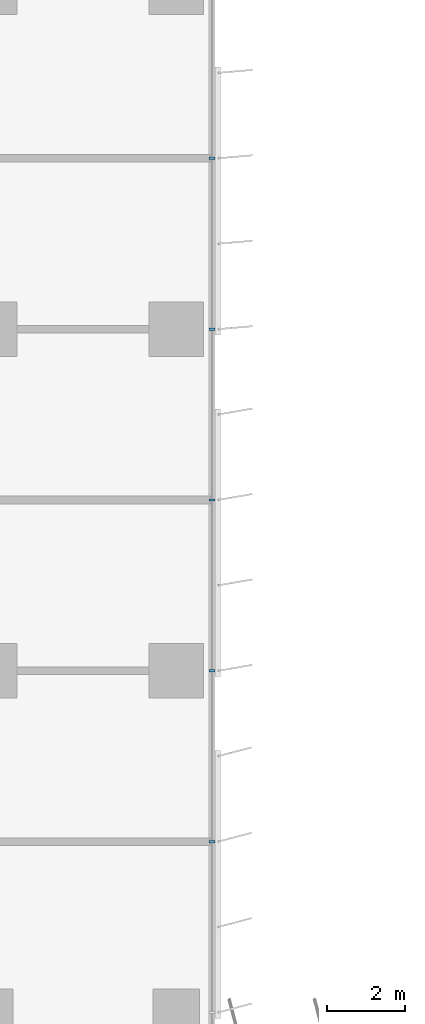
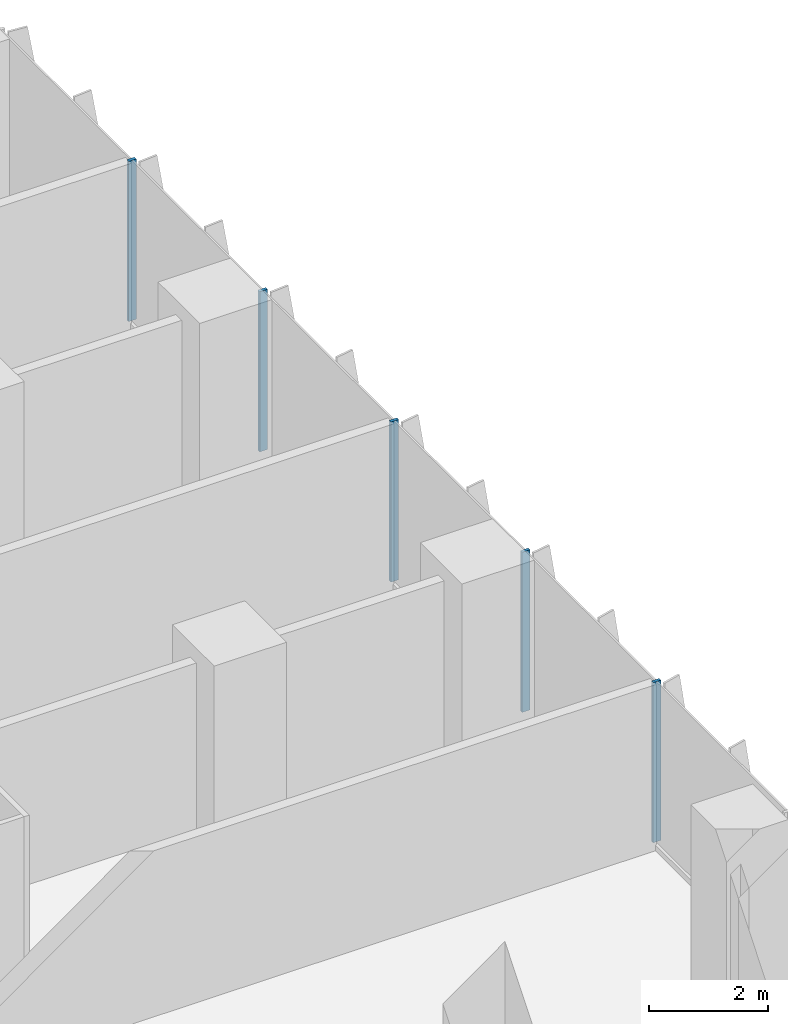
# One storey, part 5 of 24: 5 members, 1 element without a shape of its own.
"""IFC4 building model written with IfcOpenShell, lengths in metres."""

import ifcopenshell
import ifcopenshell.guid

model = None  # the IFC model being written
_history = None  # IfcOwnerHistory: only IFC2X3 demands one
_inside = {}  # id of a spatial element -> (the spatial element, [elements in it])
_under = {}  # id of a project, library or spatial element -> (it, [spatial elements below it])
_declared = {}  # id of a project -> (the project, [libraries it declares])
_typed = {}  # id of a type object -> (the type object, [elements of that type])
_made_of = {}  # id of a material, layer set ... -> (it, [elements and type objects made of it])


def new_model(schema):
    """Start an empty IFC model of exactly this schema.

    Asked for "IFC4X3", IfcOpenShell would pick the latest addendum, in which some entities
    have other attributes; the version numbers below select the first issue.
    IFC2X3 requires an IfcOwnerHistory on every rooted entity: one is made here for all.
    """
    global model, _history
    if schema == "IFC4X3":
        model = ifcopenshell.file(schema_version=(4, 3, 0, 0))
    else:
        model = ifcopenshell.file(schema=schema)
    _inside.clear()
    _under.clear()
    _declared.clear()
    _typed.clear()
    _made_of.clear()
    _history = None
    if model.schema == "IFC2X3":
        org = make("IfcOrganization", Name="unknown")
        user = make(
            "IfcPersonAndOrganization",
            ThePerson=make("IfcPerson", FamilyName="unknown"),
            TheOrganization=org,
        )
        app = make(
            "IfcApplication",
            ApplicationDeveloper=org,
            Version="unknown",
            ApplicationFullName="unknown",
            ApplicationIdentifier="unknown",
        )
        _history = make(
            "IfcOwnerHistory",
            OwningUser=user,
            OwningApplication=app,
            ChangeAction="ADDED",
            CreationDate=0,
        )
    return model


def make(cls, **values):
    """One entity of the class cls with the attributes given. An attribute that is None is left unset."""
    return model.create_entity(
        cls, **{name: value for name, value in values.items() if value is not None}
    )


def rooted(cls, **values):
    """An entity with a GlobalId (a new one), such as an element, a storey or a relation."""
    return make(cls, GlobalId=ifcopenshell.guid.new(), OwnerHistory=_history, **values)


def si_unit(unit_type, name, prefix=None):
    """IfcSIUnit, for example si_unit("LENGTHUNIT", "METRE", prefix="MILLI")."""
    return make("IfcSIUnit", UnitType=unit_type, Prefix=prefix, Name=name)


def assignment(units):
    """IfcUnitAssignment: the units of a project."""
    return None if units is None else make("IfcUnitAssignment", Units=units)


def point(xyz):
    """IfcCartesianPoint."""
    return None if xyz is None else make("IfcCartesianPoint", Coordinates=xyz)


def direction(xyz):
    """IfcDirection."""
    return None if xyz is None else make("IfcDirection", DirectionRatios=xyz)


def frame(location, z_axis=None, x_axis=None):
    """IfcAxis2Placement3D, a coordinate frame: its origin and axes. An axis left out is left unset."""
    return make(
        "IfcAxis2Placement3D",
        Location=point(location),
        Axis=direction(z_axis),
        RefDirection=direction(x_axis),
    )


def frame_2d(location, x_axis=None):
    """IfcAxis2Placement2D, a coordinate frame in the plane: its origin and x axis."""
    return make(
        "IfcAxis2Placement2D", Location=point(location), RefDirection=direction(x_axis)
    )


def origin():
    """The frame at (0, 0, 0) with its axes left unset."""
    return frame((0.0, 0.0, 0.0))


def origin_2d():
    """The frame at (0, 0) in the plane with its x axis left unset."""
    return frame_2d((0.0, 0.0))


def place(relative_to, where):
    """IfcLocalPlacement: puts the frame where relative to a parent placement (None: the world)."""
    return make(
        "IfcLocalPlacement", PlacementRelTo=relative_to, RelativePlacement=where
    )


def context(
    kind, dimensions, precision=None, world=None, true_north=None, identifier=None
):
    """IfcGeometricRepresentationContext, for example the 3D "Model" context."""
    return make(
        "IfcGeometricRepresentationContext",
        ContextIdentifier=identifier,
        ContextType=kind,
        CoordinateSpaceDimension=dimensions,
        Precision=precision,
        WorldCoordinateSystem=world,
        TrueNorth=true_north,
    )


def subcontext(parent, identifier, kind, view, scale=None):
    """IfcGeometricRepresentationSubContext, for example "Body" below "Model"."""
    return make(
        "IfcGeometricRepresentationSubContext",
        ContextIdentifier=identifier,
        ContextType=kind,
        ParentContext=parent,
        TargetScale=scale,
        TargetView=view,
    )


def project(units=None, contexts=None):
    """IfcProject with its units and contexts."""
    return rooted(
        "IfcProject",
        Name="project",
        RepresentationContexts=contexts,
        UnitsInContext=assignment(units),
    )


def spatial(cls, under=None, at=None, **own):
    """A site, building, storey or space (cls), placed at a placement, below another one or the project."""
    s = rooted(cls, ObjectPlacement=at, **own)
    if under is not None:
        _under.setdefault(under.id(), (under, []))[1].append(s)
    return s


def profile(cls, at=None, kind="AREA", **sizes):
    """A parametric profile (cls). Its sizes go by their IFC names, for example OverallWidth=200.0."""
    return make(cls, ProfileType=kind, Position=at, **sizes)


def rectangle(**sizes):
    """IfcRectangleProfileDef."""
    return profile("IfcRectangleProfileDef", **sizes)


def extrude(swept, where, along, depth):
    """IfcExtrudedAreaSolid: the profile swept, set in the frame where, extruded along a direction by depth."""
    return make(
        "IfcExtrudedAreaSolid",
        SweptArea=swept,
        Position=where,
        ExtrudedDirection=direction(along),
        Depth=depth,
    )


def shape(context_of_items, identifier, shape_type, items):
    """IfcShapeRepresentation: the items that make up one representation, for example the "Body"."""
    return make(
        "IfcShapeRepresentation",
        ContextOfItems=context_of_items,
        RepresentationIdentifier=identifier,
        RepresentationType=shape_type,
        Items=items,
    )


def source(mapping_origin, context_of_items, identifier, shape_type, items):
    """IfcRepresentationMap: a shape defined once, which mapped items show again and again."""
    return make(
        "IfcRepresentationMap",
        MappingOrigin=mapping_origin,
        MappedRepresentation=shape(context_of_items, identifier, shape_type, items),
    )


def transform(
    local_origin,
    x_axis=None,
    y_axis=None,
    z_axis=None,
    scale=None,
    scale2=None,
    scale3=None,
    uniform=True,
):
    """IfcCartesianTransformationOperator3D, or its non-uniform kind. x_axis, y_axis, z_axis: its Axis1, 2, 3."""
    if uniform:
        return make(
            "IfcCartesianTransformationOperator3D",
            Axis1=direction(x_axis),
            Axis2=direction(y_axis),
            LocalOrigin=point(local_origin),
            Scale=scale,
            Axis3=direction(z_axis),
        )
    return make(
        "IfcCartesianTransformationOperator3DnonUniform",
        Axis1=direction(x_axis),
        Axis2=direction(y_axis),
        LocalOrigin=point(local_origin),
        Scale=scale,
        Axis3=direction(z_axis),
        Scale2=scale2,
        Scale3=scale3,
    )


def mapped(mapping_source, mapping_target):
    """IfcMappedItem: shows the shape of a source again, moved by a transform."""
    return make(
        "IfcMappedItem", MappingSource=mapping_source, MappingTarget=mapping_target
    )


def material(Name=None, Category=None):
    """IfcMaterial."""
    return make("IfcMaterial", Name=Name, Category=Category)


def material_profile(
    of_material, cross_section, Name=None, Category=None, Priority=None
):
    """IfcMaterialProfile: a cross section and its material."""
    return make(
        "IfcMaterialProfile",
        Name=Name,
        Material=of_material,
        Profile=cross_section,
        Priority=Priority,
        Category=Category,
    )


def profile_set(profiles, Name=None, composite=None):
    """IfcMaterialProfileSet."""
    return make(
        "IfcMaterialProfileSet",
        Name=Name,
        MaterialProfiles=profiles,
        CompositeProfile=composite,
    )


def made_of(thing, what):
    """Note that an element or type object is made of a material, layer set ...; save() writes the relation."""
    if what is not None:
        _made_of.setdefault(what.id(), (what, []))[1].append(thing)
    return thing


def type_object(cls, material=None, **own):
    """A type object (cls), such as IfcWallType, which elements share."""
    return made_of(rooted(cls, **own), material)


def element(
    cls,
    number,
    at=None,
    inside=None,
    cuts=None,
    type_object=None,
    material=None,
    context=None,
    identifier="Body",
    shape_type=None,
    held_by="IfcProductDefinitionShape",
    body=None,
    shapes=None,
    **own,
):
    """One element of the class cls, such as IfcWall. Its Tag is "e" and its number.

    at: its placement. inside: the storey or other place that contains it. cuts: it is an
    opening in that element (IfcRelVoidsElement). A single representation is given by context,
    identifier, shape_type and body (its items); several are given by shapes. held_by: the class
    of the entity that holds the representations. save() writes the other relations.
    """
    e = rooted(cls, Tag="e%d" % number, ObjectPlacement=at, **own)
    if body is not None:
        shapes = [shape(context, identifier, shape_type, body)]
    if shapes is not None:
        e.Representation = make(held_by, Representations=shapes)
    if inside is not None:
        _inside.setdefault(inside.id(), (inside, []))[1].append(e)
    if cuts is not None:
        rooted(
            "IfcRelVoidsElement", RelatingBuildingElement=cuts, RelatedOpeningElement=e
        )
    if type_object is not None:
        _typed.setdefault(type_object.id(), (type_object, []))[1].append(e)
    return made_of(e, material)


def aggregate(whole, parts):
    """IfcRelAggregates: a whole, such as a stair, and the parts it consists of."""
    return rooted("IfcRelAggregates", RelatingObject=whole, RelatedObjects=parts)


def save(model, path):
    """Write the relations noted so far, then the file.

    IfcRelAggregates (storeys below a building ...), IfcRelContainedInSpatialStructure (elements
    in a storey), IfcRelDefinesByType, IfcRelAssociatesMaterial and IfcRelDeclares: one each for
    every whole, place, type object, material and project.
    """
    for whole, parts in _under.values():
        aggregate(whole, parts)
    for where, things in _inside.values():
        rooted(
            "IfcRelContainedInSpatialStructure",
            RelatedElements=things,
            RelatingStructure=where,
        )
    for kind, things in _typed.values():
        rooted("IfcRelDefinesByType", RelatedObjects=things, RelatingType=kind)
    for what, things in _made_of.values():
        rooted("IfcRelAssociatesMaterial", RelatedObjects=things, RelatingMaterial=what)
    for by, libraries in _declared.values():
        rooted("IfcRelDeclares", RelatingContext=by, RelatedDefinitions=libraries)
    model.write(path)


model = new_model("IFC4")

# Units and contexts
model_context = context("Model", 3, precision=1e-05, world=origin(), true_north=direction((0.0, 1.0)))
body_context = subcontext(model_context, "Body", "Model", "MODEL_VIEW")
ifc_project = project(units=[si_unit("LENGTHUNIT", "METRE"), si_unit("AREAUNIT", "SQUARE_METRE"), si_unit("VOLUMEUNIT", "CUBIC_METRE"), si_unit("PLANEANGLEUNIT", "RADIAN"), si_unit("MASSUNIT", "GRAM", prefix="KILO")], contexts=[model_context])

# Site, building, storey
site_placement = place(None, origin())
site = spatial("IfcSite", under=ifc_project, at=site_placement, CompositionType="ELEMENT")
building_placement = place(site_placement, origin())
building = spatial("IfcBuilding", under=site, at=building_placement, Name="Kemantara Hotel Tower", CompositionType="ELEMENT")
storey_placement = place(building_placement, frame((0.0, 0.0, 56.199951171875)))
storey = spatial("IfcBuildingStorey", under=building, at=storey_placement, Name="L12", CompositionType="ELEMENT", Elevation=56.199951171875)

# Curtain wall, members
ifc_material_1 = material(Name="Low-E tinted double insulated glass 36 mm", Category="glass")
curtain_wall_type = type_object("IfcCurtainWallType", Name="TOWER CURTAIN WALL, FRONT FACES", PredefinedType="USERDEFINED", material=ifc_material_1)
curtain_wall_placement = place(storey_placement, origin())
curtain_wall = element("IfcCurtainWall", 1, at=curtain_wall_placement, inside=storey, type_object=curtain_wall_type, Name="CW4 L12 T1-R08-1", ObjectType="TOWER CURTAIN WALL, FRONT FACES", PredefinedType="USERDEFINED")
ifc_material_2 = material(Name="Aluminium 6063-T6 bronze anodised", Category="aluminium")
ifc_material_profile = material_profile(ifc_material_2, rectangle(XDim=0.14990234375, YDim=0.06005859375, at=origin_2d()), Name="TOWER CURTAIN WALL, FRONT FACES MULLION")
ifc_profile_set = profile_set([ifc_material_profile], Name="Aluminium 6063-T6 bronze anodised")
member_type = type_object("IfcMemberType", Name="TOWER CURTAIN WALL, FRONT FACES MULLION", PredefinedType="MULLION", material=ifc_profile_set)
shared_shape = source(origin(), body_context, "Body", "SweptSolid", [
    extrude(rectangle(XDim=0.14990234375, YDim=0.06005859375, at=origin_2d()), origin(), (0.0, 0.0, 1.0), 3.280029296875),
])
member_1_placement = place(storey_placement, frame((26.72509765625, 31.800048828125, 0.1201171875), z_axis=(0.0, 0.0, 1.0), x_axis=(-1.0, 0.0, 0.0)))
member_1 = element("IfcMember", 2, at=member_1_placement, type_object=member_type, Name="CW4 mullion T1-R08-1.3", PredefinedType="MULLION", context=body_context, shape_type="MappedRepresentation", body=[
    mapped(shared_shape, transform((0.0, 0.0, 0.0))),
])
member_2_placement = place(storey_placement, frame((26.72509765625, 36.199951171875, 0.1201171875), z_axis=(0.0, 0.0, 1.0), x_axis=(-1.0, 0.0, 0.0)))
member_2 = element("IfcMember", 3, at=member_2_placement, type_object=member_type, Name="CW4 mullion T1-R08-1.4", PredefinedType="MULLION", context=body_context, shape_type="MappedRepresentation", body=[
    mapped(shared_shape, transform((0.0, 0.0, 0.0))),
])
member_3_placement = place(storey_placement, frame((26.72509765625, 40.60009765625, 0.1201171875), z_axis=(0.0, 0.0, 1.0), x_axis=(-1.0, 0.0, 0.0)))
member_3 = element("IfcMember", 4, at=member_3_placement, type_object=member_type, Name="CW4 mullion T1-R08-1.5", PredefinedType="MULLION", context=body_context, shape_type="MappedRepresentation", body=[
    mapped(shared_shape, transform((0.0, 0.0, 0.0))),
])
member_4_placement = place(storey_placement, frame((26.72509765625, 45.0, 0.1201171875), z_axis=(0.0, 0.0, 1.0), x_axis=(-1.0, 0.0, 0.0)))
member_4 = element("IfcMember", 5, at=member_4_placement, type_object=member_type, Name="CW4 mullion T1-R08-1.6", PredefinedType="MULLION", context=body_context, shape_type="MappedRepresentation", body=[
    mapped(shared_shape, transform((0.0, 0.0, 0.0))),
])
member_5_placement = place(storey_placement, frame((26.72509765625, 49.39990234375, 0.1201171875), z_axis=(0.0, 0.0, 1.0), x_axis=(-1.0, 0.0, 0.0)))
member_5 = element("IfcMember", 6, at=member_5_placement, type_object=member_type, Name="CW4 mullion T1-R08-1.7", PredefinedType="MULLION", context=body_context, shape_type="MappedRepresentation", body=[
    mapped(shared_shape, transform((0.0, 0.0, 0.0))),
])
aggregate(curtain_wall, [member_1, member_2, member_3, member_4, member_5])

save(model, "model.ifc")
